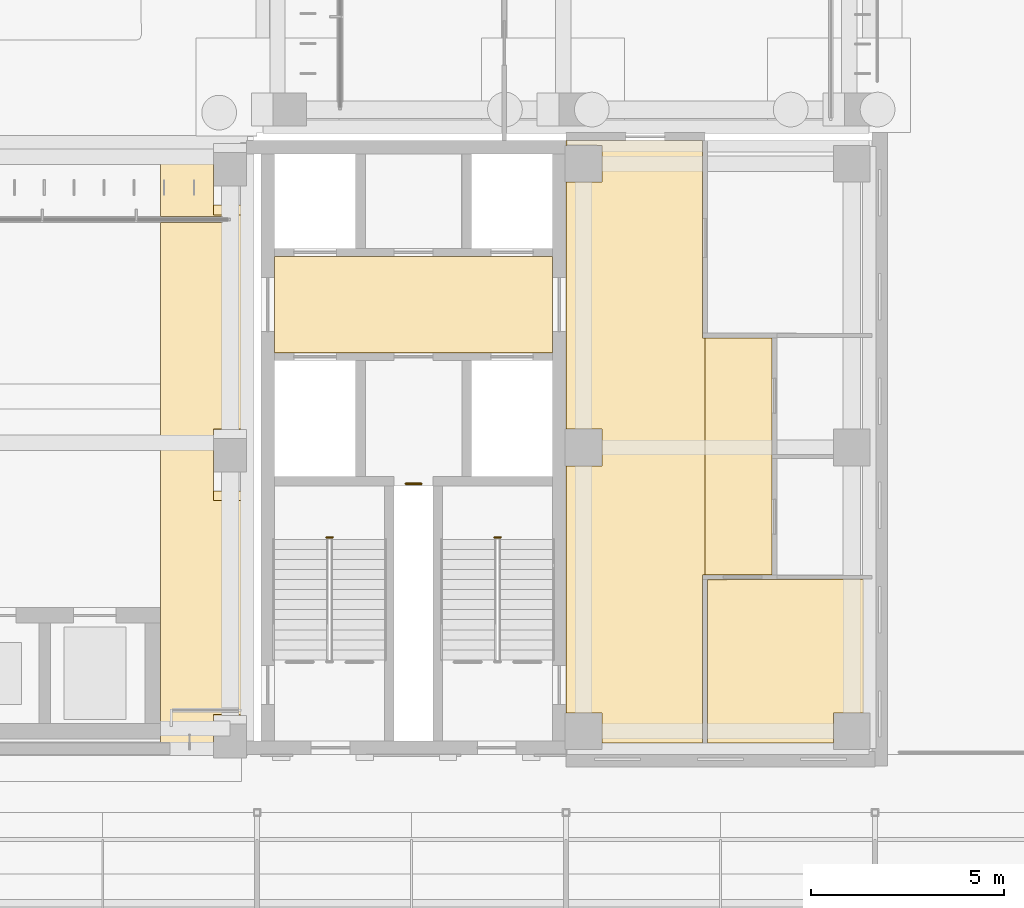
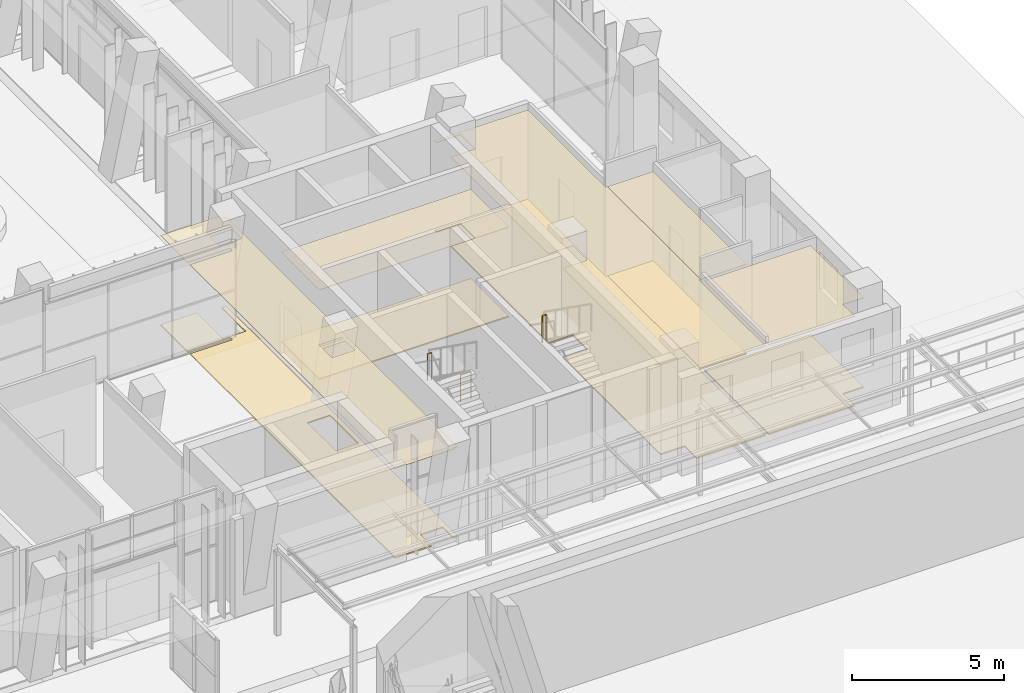
# One storey, part 126 of 144: 10 coverings, 3 railings.
"""IFC4 building model written with IfcOpenShell, lengths in metres."""

from ifc_helpers import new_model, si_unit, direction, frame, origin, origin_2d, place, context, subcontext, project, spatial, polyline, circle, outline, extrude, material, layer, layer_set, type_object, element, save


model = new_model("IFC4")

# Units and contexts
model_context = context("Model", 3, precision=1e-05, world=origin(), true_north=direction((0.0, 1.0)))
body_context = subcontext(model_context, "Body", "Model", "MODEL_VIEW")
ifc_project = project(units=[si_unit("LENGTHUNIT", "METRE"), si_unit("AREAUNIT", "SQUARE_METRE"), si_unit("VOLUMEUNIT", "CUBIC_METRE"), si_unit("PLANEANGLEUNIT", "RADIAN"), si_unit("MASSUNIT", "GRAM", prefix="KILO")], contexts=[model_context])

# Site, building, storey
site_placement = place(None, origin())
site = spatial("IfcSite", under=ifc_project, at=site_placement, CompositionType="ELEMENT")
building_placement = place(site_placement, origin())
building = spatial("IfcBuilding", under=site, at=building_placement, Name="Lantern Court Media Centre", CompositionType="ELEMENT")
storey_placement = place(building_placement, origin())
storey = spatial("IfcBuildingStorey", under=building, at=storey_placement, Name="L00", CompositionType="ELEMENT", Elevation=0.0)

# Covering
ifc_material_1 = material(Name="Carpet")
ifc_layer_1 = layer(ifc_material_1, 0.050048828125)
ifc_layer_set_1 = layer_set([ifc_layer_1], Name="Carpet")
covering_type_1 = type_object("IfcCoveringType", Name="Carpet floor finish", PredefinedType="FLOORING", material=ifc_layer_set_1)
covering_1_placement = place(storey_placement, origin())
element("IfcCovering", 1, at=covering_1_placement, inside=storey, type_object=covering_type_1, Name="Cafe Kitchen floor finish", PredefinedType="FLOORING", context=body_context, shape_type="SweptSolid", body=[
    extrude(outline(polyline([(95.699951171875, 49.080078125), (94.92138671875, 49.07861328125), (94.919921875, 48.300048828125), (91.66748046875, 48.300048828125), (91.66748046875, 52.5234375), (95.699951171875, 52.535888671875), (95.699951171875, 49.080078125)])), origin(), (0.0, 0.0, 1.0), 0.050048828125),
])

# Railings
ifc_material_2 = material(Name="Powder-coated steel", Category="steel")
railing_type_1 = type_object("IfcRailingType", Name="Floor edge guard 1100", PredefinedType="GUARDRAIL", material=ifc_material_2)
railing_1_placement = place(storey_placement, frame((83.85009765625, 55.010009765625, 0.0)))
element("IfcRailing", 2, at=railing_1_placement, inside=storey, type_object=railing_type_1, Name="L00 opening guard 40", PredefinedType="GUARDRAIL", context=body_context, shape_type="SweptSolid", body=[
    extrude(circle(Radius=0.02392578125, at=origin_2d()), frame((0.0, 0.0, 1.076171875), z_axis=(1.0, 0.0, 0.0), x_axis=(0.0, 1.0, 0.0)), (0.0, 0.0, 1.0), 0.39990234375),
    extrude(circle(Radius=0.02099609375, at=origin_2d()), origin(), (0.0, 0.0, 1.0), 1.052001953125),
    extrude(circle(Radius=0.02099609375, at=origin_2d()), frame((0.39990234375, 0.0, 0.0)), (0.0, 0.0, 1.0), 1.052001953125),
])
railing_type_2 = type_object("IfcRailingType", Name="Stair guard 1100", PredefinedType="GUARDRAIL", material=ifc_material_2)
railing_2_placement = place(storey_placement, frame((86.300048828125, 53.6201171875, 2.39990234375)))
element("IfcRailing", 3, at=railing_2_placement, inside=storey, type_object=railing_type_2, Name="L00 ST-SEA stair guard 2", PredefinedType="GUARDRAIL", context=body_context, shape_type="SweptSolid", body=[
    extrude(circle(Radius=0.02392578125, at=origin_2d()), frame((0.0, 0.0, 1.076171875), z_axis=(-1.0, 0.0, 0.0), x_axis=(0.0, -1.0, 0.0)), (0.0, 0.0, 1.0), 0.150146484375),
    extrude(circle(Radius=0.02099609375, at=origin_2d()), origin(), (0.0, 0.0, 1.0), 1.052001953125),
    extrude(circle(Radius=0.02099609375, at=origin_2d()), frame((-0.150146484375, 0.0, 0.0)), (0.0, 0.0, 1.0), 1.052001953125),
])
railing_3_placement = place(storey_placement, frame((81.949951171875, 53.6201171875, 2.39990234375)))
element("IfcRailing", 4, at=railing_3_placement, inside=storey, type_object=railing_type_2, Name="L00 ST-SEB stair guard 2", PredefinedType="GUARDRAIL", context=body_context, shape_type="SweptSolid", body=[
    extrude(circle(Radius=0.02392578125, at=origin_2d()), frame((0.0, 0.0, 1.076171875), z_axis=(-1.0, 0.0, 0.0), x_axis=(0.0, -1.0, 0.0)), (0.0, 0.0, 1.0), 0.14990234375),
    extrude(circle(Radius=0.02099609375, at=origin_2d()), origin(), (0.0, 0.0, 1.0), 1.052001953125),
    extrude(circle(Radius=0.02099609375, at=origin_2d()), frame((-0.14990234375, 0.0, 0.0)), (0.0, 0.0, 1.0), 1.052001953125),
])

# Coverings
ifc_material_3 = material(Name="Mineral fibre ceiling tile")
ifc_layer_2 = layer(ifc_material_3, 0.02001953125)
ifc_layer_set_2 = layer_set([ifc_layer_2], Name="Mineral fibre ceiling tile")
covering_type_2 = type_object("IfcCoveringType", Name="Suspended ceiling tile", PredefinedType="CEILING", material=ifc_layer_set_2)
covering_2_placement = place(storey_placement, frame((0.0, 0.0, 3.60009765625)))
element("IfcCovering", 5, at=covering_2_placement, inside=storey, type_object=covering_type_2, Name="End Lobby ceiling", PredefinedType="CEILING", context=body_context, shape_type="SweptSolid", body=[
    extrude(outline(polyline([(79.89990234375, 48.3505859375), (79.724853515625, 48.3505859375), (79.724609375, 48.300048828125), (77.5, 48.300537109375), (77.5, 61.7744140625), (79.1005859375, 61.77490234375), (79.10009765625, 61.925537109375), (77.5, 61.925537109375), (77.5, 63.699951171875), (79.724609375, 63.699951171875), (79.724609375, 63.549560546875), (79.89990234375, 63.549560546875), (79.89990234375, 48.3505859375)]), holes=[polyline([(78.87451171875, 62.222900390625), (79.725341796875, 62.222412109375), (79.725341796875, 62.8251953125), (78.874755859375, 62.825439453125), (78.87451171875, 62.222900390625)]), polyline([(79.72509765625, 54.822509765625), (79.725341796875, 55.425537109375), (78.87451171875, 55.42529296875), (78.874755859375, 54.822509765625), (79.72509765625, 54.822509765625)]), polyline([(79.72509765625, 55.574462890625), (79.72509765625, 55.67333984375), (78.87451171875, 55.6728515625), (78.875, 55.574462890625), (79.72509765625, 55.574462890625)]), polyline([(79.72509765625, 62.974609375), (79.72509765625, 63.073486328125), (78.87451171875, 63.072998046875), (78.875, 62.974609375), (79.72509765625, 62.974609375)])]), origin(), (0.0, 0.0, 1.0), 0.02001953125),
])
covering_3_placement = place(storey_placement, frame((0.0, 0.0, 3.60009765625)))
element("IfcCovering", 6, at=covering_3_placement, inside=storey, type_object=covering_type_2, Name="Lift Lobby ceiling", PredefinedType="CEILING", context=body_context, shape_type="SweptSolid", body=[
    extrude(outline(polyline([(80.450439453125, 58.400390625), (80.450439453125, 60.8994140625), (87.6494140625, 60.8994140625), (87.6494140625, 58.400390625), (80.450439453125, 58.400390625)])), origin(), (0.0, 0.0, 1.0), 0.02001953125),
])
covering_4_placement = place(storey_placement, frame((0.0, 0.0, 3.60009765625)))
element("IfcCovering", 7, at=covering_4_placement, inside=storey, type_object=covering_type_2, Name="Corridor ceiling", PredefinedType="CEILING", context=body_context, shape_type="SweptSolid", body=[
    extrude(outline(polyline([(91.60009765625, 52.654052734375), (91.537109375, 52.653564453125), (91.537109375, 48.300048828125), (88.925537109375, 48.300048828125), (88.92529296875, 49.075439453125), (88.00048828125, 49.075439453125), (88.00048828125, 55.474609375), (88.925537109375, 55.47509765625), (88.92529296875, 56.42529296875), (88.00048828125, 56.425537109375), (88.00048828125, 62.824462890625), (88.92529296875, 62.82470703125), (88.925537109375, 63.775146484375), (88.00048828125, 63.775390625), (88.00048828125, 63.8994140625), (91.537109375, 63.8994140625), (91.537109375, 58.78955078125), (91.60009765625, 58.7890625), (91.60009765625, 52.654052734375)])), origin(), (0.0, 0.0, 1.0), 0.02001953125),
])
covering_5_placement = place(storey_placement, frame((0.0, 0.0, 3.60009765625)))
element("IfcCovering", 8, at=covering_5_placement, inside=storey, type_object=covering_type_2, Name="Cafe Kitchen ceiling", PredefinedType="CEILING", context=body_context, shape_type="SweptSolid", body=[
    extrude(outline(polyline([(95.699951171875, 49.075439453125), (94.924560546875, 49.075439453125), (94.924560546875, 48.300048828125), (91.6630859375, 48.300048828125), (91.6630859375, 52.528076171875), (95.699951171875, 52.54052734375), (95.699951171875, 49.075439453125)])), origin(), (0.0, 0.0, 1.0), 0.02001953125),
])
covering_6_placement = place(storey_placement, frame((0.0, 0.0, 3.60009765625)))
element("IfcCovering", 9, at=covering_6_placement, inside=storey, type_object=covering_type_2, Name="WC Lobby ceiling", PredefinedType="CEILING", context=body_context, shape_type="SweptSolid", body=[
    extrude(outline(polyline([(91.60009765625, 58.7890625), (93.3369140625, 58.7890625), (93.3369140625, 52.654052734375), (91.60009765625, 52.654052734375), (91.60009765625, 58.7890625)])), origin(), (0.0, 0.0, 1.0), 0.02001953125),
])
ifc_material_4 = material(Name="Terrazzo")
ifc_layer_3 = layer(ifc_material_4, 0.050048828125)
ifc_layer_set_3 = layer_set([ifc_layer_3], Name="Terrazzo")
covering_type_3 = type_object("IfcCoveringType", Name="Terrazzo floor finish", PredefinedType="FLOORING", material=ifc_layer_set_3)
covering_7_placement = place(storey_placement, origin())
element("IfcCovering", 10, at=covering_7_placement, inside=storey, type_object=covering_type_3, Name="End Lobby floor finish", PredefinedType="FLOORING", context=body_context, shape_type="SweptSolid", body=[
    extrude(outline(polyline([(79.89990234375, 48.35498046875), (79.72998046875, 48.35498046875), (79.727783203125, 49.029052734375), (78.875, 49.030029296875), (78.8701171875, 48.300048828125), (77.5, 48.304931640625), (77.5, 61.77001953125), (79.10498046875, 61.77490234375), (79.1005859375, 61.929931640625), (77.5, 61.929931640625), (77.5, 63.699951171875), (78.8701171875, 63.699951171875), (78.87451171875, 61.969970703125), (79.729248046875, 61.97216796875), (79.72998046875, 63.544921875), (79.89990234375, 63.544921875), (79.89990234375, 48.35498046875)]), holes=[polyline([(78.8701171875, 54.574951171875), (79.729736328125, 54.572998046875), (79.726806640625, 56.4296875), (78.870361328125, 56.427001953125), (78.8701171875, 54.574951171875)])]), origin(), (0.0, 0.0, 1.0), 0.050048828125),
])
covering_8_placement = place(storey_placement, origin())
element("IfcCovering", 11, at=covering_8_placement, inside=storey, type_object=covering_type_3, Name="Lift Lobby floor finish", PredefinedType="FLOORING", context=body_context, shape_type="SweptSolid", body=[
    extrude(outline(polyline([(80.455078125, 58.405029296875), (80.455078125, 60.89501953125), (87.64501953125, 60.89501953125), (87.64501953125, 58.405029296875), (80.455078125, 58.405029296875)])), origin(), (0.0, 0.0, 1.0), 0.050048828125),
])
covering_9_placement = place(storey_placement, origin())
element("IfcCovering", 12, at=covering_9_placement, inside=storey, type_object=covering_type_3, Name="Corridor floor finish", PredefinedType="FLOORING", context=body_context, shape_type="SweptSolid", body=[
    extrude(outline(polyline([(91.60009765625, 52.658447265625), (91.532470703125, 52.653564453125), (91.532470703125, 48.300048828125), (88.929931640625, 48.300048828125), (88.92822265625, 49.078857421875), (88.0048828125, 49.080078125), (88.0048828125, 55.469970703125), (88.929931640625, 55.47509765625), (88.928466796875, 56.428466796875), (88.0048828125, 56.429931640625), (88.0048828125, 62.820068359375), (88.928466796875, 62.821533203125), (88.929931640625, 63.775390625), (88.0048828125, 63.780029296875), (88.0048828125, 63.89501953125), (91.532470703125, 63.89501953125), (91.532470703125, 58.78955078125), (91.60009765625, 58.784423828125), (91.60009765625, 52.658447265625)])), origin(), (0.0, 0.0, 1.0), 0.050048828125),
])
covering_10_placement = place(storey_placement, origin())
element("IfcCovering", 13, at=covering_10_placement, inside=storey, type_object=covering_type_3, Name="WC Lobby floor finish", PredefinedType="FLOORING", context=body_context, shape_type="SweptSolid", body=[
    extrude(outline(polyline([(91.60009765625, 58.784423828125), (93.33251953125, 58.784423828125), (93.33251953125, 52.658447265625), (91.60009765625, 52.658447265625), (91.60009765625, 58.784423828125)])), origin(), (0.0, 0.0, 1.0), 0.050048828125),
])

save(model, "model.ifc")
